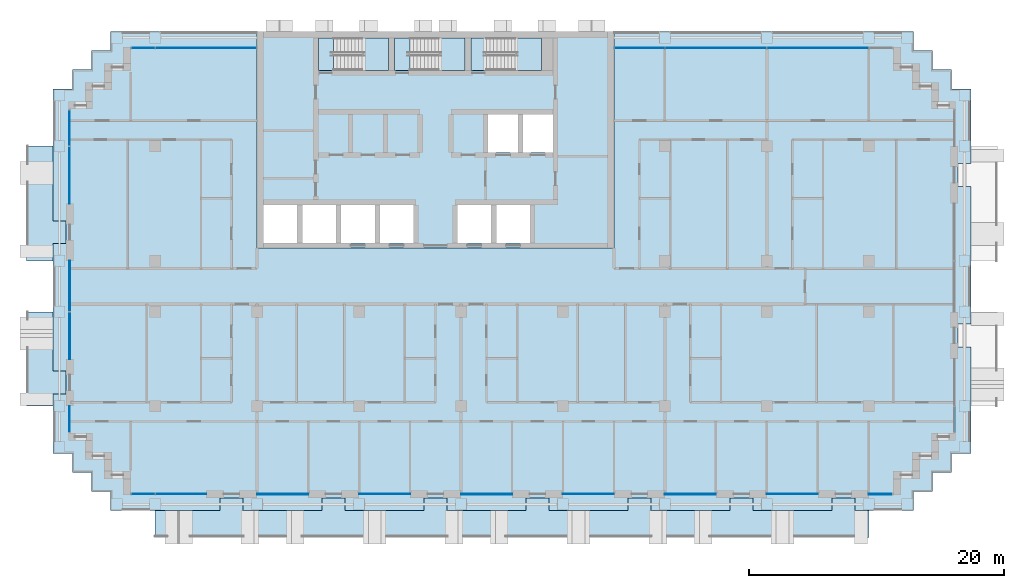
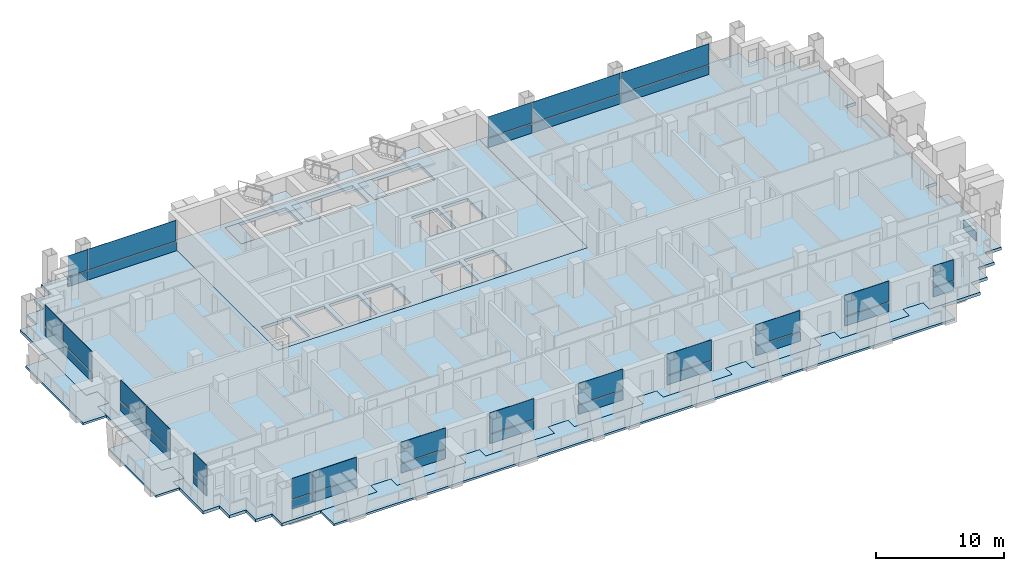
# One storey, part 7 of 18: 39 plates, 11 slabs, 17 elements without a shape of their own.
"""IFC4 building model written with IfcOpenShell, lengths in metres."""

from ifc_helpers import new_model, si_unit, direction, frame, origin, origin_2d, place, context, subcontext, project, spatial, polyline, rectangle, outline, extrude, material, layer, layer_set, type_object, element, aggregate, save


model = new_model("IFC4")

# Units and contexts
model_context = context("Model", 3, precision=1e-05, world=origin(), true_north=direction((0.0, 1.0)))
body_context = subcontext(model_context, "Body", "Model", "MODEL_VIEW")
ifc_project = project(units=[si_unit("LENGTHUNIT", "METRE"), si_unit("AREAUNIT", "SQUARE_METRE"), si_unit("VOLUMEUNIT", "CUBIC_METRE"), si_unit("PLANEANGLEUNIT", "RADIAN"), si_unit("MASSUNIT", "GRAM", prefix="KILO")], contexts=[model_context])

# Site, building, storey
site_placement = place(None, origin())
site = spatial("IfcSite", under=ifc_project, at=site_placement, CompositionType="ELEMENT")
building_placement = place(site_placement, origin())
building = spatial("IfcBuilding", under=site, at=building_placement, Name="Vidyagriha Tower", CompositionType="ELEMENT")
storey_placement = place(building_placement, frame((0.0, 0.0, 90.300048828125)))
storey = spatial("IfcBuildingStorey", under=building, at=storey_placement, Name="L23", CompositionType="ELEMENT", Elevation=90.300048828125)

# Curtain wall, plate
ifc_material_1 = material(Name="Aluminium and glass curtain wall", Category="aluminium")
curtain_wall_type = type_object("IfcCurtainWallType", Name="Dwelling skin unitised curtain wall", PredefinedType="USERDEFINED", material=ifc_material_1)
curtain_wall_1_placement = place(storey_placement, origin())
curtain_wall_1 = element("IfcCurtainWall", 1, at=curtain_wall_1_placement, inside=storey, type_object=curtain_wall_type, Name="CW1 dwelling skin", ObjectType="UNITISED", PredefinedType="USERDEFINED")
ifc_material_2 = material(Name="Glass dark ceramic-fritted spandrel", Category="glass")
ifc_layer_1 = layer(ifc_material_2, 0.0400390625)
ifc_layer_set_1 = layer_set([ifc_layer_1], Name="Glass dark ceramic-fritted spandrel")
plate_type_1 = type_object("IfcPlateType", Name="Ceramic-fritted spandrel panel", PredefinedType="CURTAIN_PANEL", material=ifc_layer_set_1)
plate_1_placement = place(storey_placement, frame((22.0, 18.699951171875, 0.0), z_axis=(0.0, 0.0, 1.0), x_axis=(-1.0, 0.0, 0.0)))
plate_1 = element("IfcPlate", 2, at=plate_1_placement, type_object=plate_type_1, Name="CW1 panel 3.1", PredefinedType="CURTAIN_PANEL", context=body_context, shape_type="SweptSolid", body=[
    extrude(rectangle(XDim=7.929931640625, YDim=0.0400390625, at=origin_2d()), origin(), (0.0, 0.0, 1.0), 0.85009765625),
])

curtain_wall_2_placement = place(storey_placement, origin())
curtain_wall_2 = element("IfcCurtainWall", 3, at=curtain_wall_2_placement, inside=storey, type_object=curtain_wall_type, Name="CW1 dwelling skin", ObjectType="UNITISED", PredefinedType="USERDEFINED")
plate_2_placement = place(storey_placement, frame((-18.017578125, 18.699951171875, 0.0), z_axis=(0.0, 0.0, 1.0), x_axis=(-1.0, 0.0, 0.0)))
plate_2 = element("IfcPlate", 4, at=plate_2_placement, type_object=plate_type_1, Name="CW1 panel 1.1", PredefinedType="CURTAIN_PANEL", context=body_context, shape_type="SweptSolid", body=[
    extrude(rectangle(XDim=7.89501953125, YDim=0.0400390625, at=origin_2d()), origin(), (0.0, 0.0, 1.0), 0.85009765625),
])

# Curtain wall, plates
curtain_wall_3_placement = place(storey_placement, origin())
curtain_wall_3 = element("IfcCurtainWall", 5, at=curtain_wall_3_placement, inside=storey, type_object=curtain_wall_type, Name="CW1 dwelling skin", ObjectType="UNITISED", PredefinedType="USERDEFINED")
plate_3_placement = place(storey_placement, frame((-28.699951171875, 12.4326171875, 0.0), z_axis=(0.0, 0.0, 1.0), x_axis=(0.0, -1.0, 0.0)))
plate_3 = element("IfcPlate", 6, at=plate_3_placement, type_object=plate_type_1, Name="CW1 panel 1.1", PredefinedType="CURTAIN_PANEL", context=body_context, shape_type="SweptSolid", body=[
    extrude(rectangle(XDim=2.794921875, YDim=0.0400390625, at=origin_2d()), origin(), (0.0, 0.0, 1.0), 0.85009765625),
])
plate_4_placement = place(storey_placement, frame((-28.699951171875, 8.732421875, 0.0), z_axis=(0.0, 0.0, 1.0), x_axis=(0.0, -1.0, 0.0)))
plate_4 = element("IfcPlate", 7, at=plate_4_placement, type_object=plate_type_1, Name="CW1 panel 2.1", PredefinedType="CURTAIN_PANEL", context=body_context, shape_type="SweptSolid", body=[
    extrude(rectangle(XDim=4.465087890625, YDim=0.0400390625, at=origin_2d()), origin(), (0.0, 0.0, 1.0), 0.85009765625),
])

# Curtain wall, plate
curtain_wall_4_placement = place(storey_placement, origin())
curtain_wall_4 = element("IfcCurtainWall", 8, at=curtain_wall_4_placement, inside=storey, type_object=curtain_wall_type, Name="CW1 dwelling skin", ObjectType="UNITISED", PredefinedType="USERDEFINED")
plate_5_placement = place(storey_placement, frame((-28.699951171875, -10.4150390625, 0.0), z_axis=(0.0, 0.0, 1.0), x_axis=(0.0, -1.0, 0.0)))
plate_5 = element("IfcPlate", 9, at=plate_5_placement, type_object=plate_type_1, Name="CW1 panel 1.1", PredefinedType="CURTAIN_PANEL", context=body_context, shape_type="SweptSolid", body=[
    extrude(rectangle(XDim=2.030029296875, YDim=0.0400390625, at=origin_2d()), origin(), (0.0, 0.0, 1.0), 0.85009765625),
])

# Curtain wall, plates
curtain_wall_5_placement = place(storey_placement, origin())
curtain_wall_5 = element("IfcCurtainWall", 10, at=curtain_wall_5_placement, inside=storey, type_object=curtain_wall_type, Name="CW1 dwelling skin", ObjectType="UNITISED", PredefinedType="USERDEFINED")
plate_6_placement = place(storey_placement, frame((-22.9326171875, -16.300048828125, 0.0)))
plate_6 = element("IfcPlate", 11, at=plate_6_placement, type_object=plate_type_1, Name="CW1 panel 1.1", PredefinedType="CURTAIN_PANEL", context=body_context, shape_type="SweptSolid", body=[
    extrude(rectangle(XDim=1.794921875, YDim=0.0400390625, at=origin_2d()), origin(), (0.0, 0.0, 1.0), 0.85009765625),
])
plate_7_placement = place(storey_placement, frame((-19.982421875, -16.300048828125, 0.0)))
plate_7 = element("IfcPlate", 12, at=plate_7_placement, type_object=plate_type_1, Name="CW1 panel 2.1", PredefinedType="CURTAIN_PANEL", context=body_context, shape_type="SweptSolid", body=[
    extrude(rectangle(XDim=3.965087890625, YDim=0.0400390625, at=origin_2d()), origin(), (0.0, 0.0, 1.0), 0.85009765625),
])

# Curtain wall, plate
curtain_wall_6_placement = place(storey_placement, origin())
curtain_wall_6 = element("IfcCurtainWall", 13, at=curtain_wall_6_placement, inside=storey, type_object=curtain_wall_type, Name="CW1 dwelling skin", ObjectType="UNITISED", PredefinedType="USERDEFINED")
plate_8_placement = place(storey_placement, frame((-4.0, -16.300048828125, 0.0)))
plate_8 = element("IfcPlate", 14, at=plate_8_placement, type_object=plate_type_1, Name="CW1 panel 1.1", PredefinedType="CURTAIN_PANEL", context=body_context, shape_type="SweptSolid", body=[
    extrude(rectangle(XDim=4.0, YDim=0.0400390625, at=origin_2d()), origin(), (0.0, 0.0, 1.0), 0.85009765625),
])

curtain_wall_7_placement = place(storey_placement, origin())
curtain_wall_7 = element("IfcCurtainWall", 15, at=curtain_wall_7_placement, inside=storey, type_object=curtain_wall_type, Name="CW1 dwelling skin", ObjectType="UNITISED", PredefinedType="USERDEFINED")
plate_9_placement = place(storey_placement, frame((12.0, -16.300048828125, 0.0)))
plate_9 = element("IfcPlate", 16, at=plate_9_placement, type_object=plate_type_1, Name="CW1 panel 1.1", PredefinedType="CURTAIN_PANEL", context=body_context, shape_type="SweptSolid", body=[
    extrude(rectangle(XDim=4.0, YDim=0.0400390625, at=origin_2d()), origin(), (0.0, 0.0, 1.0), 0.85009765625),
])

curtain_wall_8_placement = place(storey_placement, origin())
curtain_wall_8 = element("IfcCurtainWall", 17, at=curtain_wall_8_placement, inside=storey, type_object=curtain_wall_type, Name="CW1 dwelling skin", ObjectType="UNITISED", PredefinedType="USERDEFINED")
plate_10_placement = place(storey_placement, frame((28.0, -16.300048828125, 0.0)))
plate_10 = element("IfcPlate", 18, at=plate_10_placement, type_object=plate_type_1, Name="CW1 panel 1.1", PredefinedType="CURTAIN_PANEL", context=body_context, shape_type="SweptSolid", body=[
    extrude(rectangle(XDim=4.0, YDim=0.0400390625, at=origin_2d()), origin(), (0.0, 0.0, 1.0), 0.85009765625),
])

curtain_wall_9_placement = place(storey_placement, origin())
curtain_wall_9 = element("IfcCurtainWall", 19, at=curtain_wall_9_placement, inside=storey, type_object=curtain_wall_type, Name="CW1 dwelling skin", ObjectType="UNITISED", PredefinedType="USERDEFINED")
plate_11_placement = place(storey_placement, frame((40.699951171875, -10.4326171875, 0.0), z_axis=(0.0, 0.0, 1.0), x_axis=(0.0, 1.0, 0.0)))
plate_11 = element("IfcPlate", 20, at=plate_11_placement, type_object=plate_type_1, Name="CW1 panel 1.1", PredefinedType="CURTAIN_PANEL", context=body_context, shape_type="SweptSolid", body=[
    extrude(rectangle(XDim=1.9951171875, YDim=0.0400390625, at=origin_2d()), origin(), (0.0, 0.0, 1.0), 0.85009765625),
])
aggregate(curtain_wall_9, [plate_11])

# Slab
ifc_material_3 = material(Name="Concrete C60/75", Category="concrete")
ifc_layer_2 = layer(ifc_material_3, 0.280029296875)
ifc_layer_set_2 = layer_set([ifc_layer_2], Name="Concrete C60/75")
slab_type_1 = type_object("IfcSlabType", Name="Core floor slab 280 mm", PredefinedType="FLOOR", material=ifc_layer_set_2)
slab_1_placement = place(storey_placement, frame((0.0, 0.0, -0.280029296875)))
element("IfcSlab", 21, at=slab_1_placement, inside=storey, type_object=slab_type_1, Name="L23 core floor 1", PredefinedType="FLOOR", context=body_context, shape_type="SweptSolid", body=[
    extrude(outline(polyline([(-14.0, 3.0), (-14.0, 20.0), (14.0, 20.0), (14.0, 3.0), (-14.0, 3.0)]), holes=[polyline([(9.199951171875, 13.5), (6.86669921875, 13.5), (6.86669921875, 10.5), (9.199951171875, 10.5), (9.199951171875, 13.5)]), polyline([(4.0, 19.5), (2.800048828125, 19.5), (2.800048828125, 16.949951171875), (4.0, 16.949951171875), (8.300048828125, 16.949951171875), (8.300048828125, 19.5), (4.0, 19.5)]), polyline([(7.4111328125, 6.39990234375), (4.7666015625, 6.39990234375), (4.7666015625, 3.39990234375), (7.4111328125, 3.39990234375), (7.4111328125, 6.39990234375)]), polyline([(6.466796875, 13.5), (4.13330078125, 13.5), (4.13330078125, 10.5), (6.466796875, 10.5), (6.466796875, 13.5)]), polyline([(1.72216796875, 6.39990234375), (1.72216796875, 3.39990234375), (4.36669921875, 3.39990234375), (4.36669921875, 6.39990234375), (1.72216796875, 6.39990234375)]), polyline([(-2.0, 16.949951171875), (2.300048828125, 16.949951171875), (2.300048828125, 19.5), (-2.0, 19.5), (-3.199951171875, 19.5), (-3.199951171875, 16.949951171875), (-2.0, 16.949951171875)]), polyline([(-1.72216796875, 6.39990234375), (-4.36669921875, 6.39990234375), (-4.36669921875, 3.39990234375), (-1.72216796875, 3.39990234375), (-1.72216796875, 6.39990234375)]), polyline([(-8.0, 19.5), (-9.199951171875, 19.5), (-9.199951171875, 16.949951171875), (-8.0, 16.949951171875), (-3.699951171875, 16.949951171875), (-3.699951171875, 19.5), (-8.0, 19.5)]), polyline([(-4.7666015625, 6.39990234375), (-7.4111328125, 6.39990234375), (-7.4111328125, 3.39990234375), (-4.7666015625, 3.39990234375), (-4.7666015625, 6.39990234375)]), polyline([(-7.81103515625, 6.39990234375), (-10.45556640625, 6.39990234375), (-10.45556640625, 3.39990234375), (-7.81103515625, 3.39990234375), (-7.81103515625, 6.39990234375)]), polyline([(-13.5, 6.39990234375), (-13.5, 3.39990234375), (-10.855712890625, 3.39990234375), (-10.855712890625, 6.39990234375), (-13.5, 6.39990234375)])]), origin(), (0.0, 0.0, 1.0), 0.280029296875),
])

# Plate
ifc_material_4 = material(Name="Glass dark ceramic-fritted", Category="glass")
ifc_layer_3 = layer(ifc_material_4, 0.028076171875)
ifc_layer_set_3 = layer_set([ifc_layer_3], Name="Glass dark ceramic-fritted")
plate_type_2 = type_object("IfcPlateType", Name="Dark ceramic-fritted vision glass panel", PredefinedType="CURTAIN_PANEL", material=ifc_layer_set_3)
plate_12_placement = place(storey_placement, frame((30.0, 18.699951171875, 0.9501953125), z_axis=(0.0, 0.0, 1.0), x_axis=(-1.0, 0.0, 0.0)))
plate_12 = element("IfcPlate", 22, at=plate_12_placement, type_object=plate_type_2, Name="CW1 panel 2.2", PredefinedType="CURTAIN_PANEL", context=body_context, shape_type="SweptSolid", body=[
    extrude(rectangle(XDim=7.929931640625, YDim=0.028076171875, at=origin_2d()), origin(), (0.0, 0.0, 1.0), 1.969970703125),
])

plate_13_placement = place(storey_placement, frame((22.0, 18.699951171875, 0.9501953125), z_axis=(0.0, 0.0, 1.0), x_axis=(-1.0, 0.0, 0.0)))
plate_13 = element("IfcPlate", 23, at=plate_13_placement, type_object=plate_type_2, Name="CW1 panel 3.2", PredefinedType="CURTAIN_PANEL", context=body_context, shape_type="SweptSolid", body=[
    extrude(rectangle(XDim=7.929931640625, YDim=0.028076171875, at=origin_2d()), origin(), (0.0, 0.0, 1.0), 1.969970703125),
])

plate_14_placement = place(storey_placement, frame((16.017578125, 18.699951171875, 0.9501953125), z_axis=(0.0, 0.0, 1.0), x_axis=(-1.0, 0.0, 0.0)))
plate_14 = element("IfcPlate", 24, at=plate_14_placement, type_object=plate_type_2, Name="CW1 panel 4.2", PredefinedType="CURTAIN_PANEL", context=body_context, shape_type="SweptSolid", body=[
    extrude(rectangle(XDim=3.89501953125, YDim=0.028076171875, at=origin_2d()), origin(), (0.0, 0.0, 1.0), 1.969970703125),
])

plate_15_placement = place(storey_placement, frame((-18.017578125, 18.699951171875, 0.9501953125), z_axis=(0.0, 0.0, 1.0), x_axis=(-1.0, 0.0, 0.0)))
plate_15 = element("IfcPlate", 25, at=plate_15_placement, type_object=plate_type_2, Name="CW1 panel 1.2", PredefinedType="CURTAIN_PANEL", context=body_context, shape_type="SweptSolid", body=[
    extrude(rectangle(XDim=7.89501953125, YDim=0.028076171875, at=origin_2d()), origin(), (0.0, 0.0, 1.0), 1.969970703125),
])

plate_16_placement = place(storey_placement, frame((-22.9326171875, 18.699951171875, 0.9501953125), z_axis=(0.0, 0.0, 1.0), x_axis=(-1.0, 0.0, 0.0)))
plate_16 = element("IfcPlate", 26, at=plate_16_placement, type_object=plate_type_2, Name="CW1 panel 2.2", PredefinedType="CURTAIN_PANEL", context=body_context, shape_type="SweptSolid", body=[
    extrude(rectangle(XDim=1.794921875, YDim=0.028076171875, at=origin_2d()), origin(), (0.0, 0.0, 1.0), 1.969970703125),
])

plate_17_placement = place(storey_placement, frame((-28.699951171875, 12.4326171875, 0.9501953125), z_axis=(0.0, 0.0, 1.0), x_axis=(0.0, -1.0, 0.0)))
plate_17 = element("IfcPlate", 27, at=plate_17_placement, type_object=plate_type_2, Name="CW1 panel 1.2", PredefinedType="CURTAIN_PANEL", context=body_context, shape_type="SweptSolid", body=[
    extrude(rectangle(XDim=2.794921875, YDim=0.028076171875, at=origin_2d()), origin(), (0.0, 0.0, 1.0), 1.969970703125),
])

plate_18_placement = place(storey_placement, frame((-28.699951171875, 8.732421875, 0.9501953125), z_axis=(0.0, 0.0, 1.0), x_axis=(0.0, -1.0, 0.0)))
plate_18 = element("IfcPlate", 28, at=plate_18_placement, type_object=plate_type_2, Name="CW1 panel 2.2", PredefinedType="CURTAIN_PANEL", context=body_context, shape_type="SweptSolid", body=[
    extrude(rectangle(XDim=4.465087890625, YDim=0.028076171875, at=origin_2d()), origin(), (0.0, 0.0, 1.0), 1.969970703125),
])

aggregate(curtain_wall_3, [plate_3, plate_17, plate_4, plate_18])

# Curtain wall, plates
curtain_wall_10_placement = place(storey_placement, origin())
curtain_wall_10 = element("IfcCurtainWall", 29, at=curtain_wall_10_placement, inside=storey, type_object=curtain_wall_type, Name="CW1 dwelling skin", ObjectType="UNITISED", PredefinedType="USERDEFINED")
plate_19_placement = place(storey_placement, frame((-28.699951171875, 0.017578125, 0.9501953125), z_axis=(0.0, 0.0, 1.0), x_axis=(0.0, -1.0, 0.0)))
plate_19 = element("IfcPlate", 30, at=plate_19_placement, type_object=plate_type_2, Name="CW1 panel 1.2", PredefinedType="CURTAIN_PANEL", context=body_context, shape_type="SweptSolid", body=[
    extrude(rectangle(XDim=3.965087890625, YDim=0.028076171875, at=origin_2d()), origin(), (0.0, 0.0, 1.0), 1.969970703125),
])
plate_20_placement = place(storey_placement, frame((-28.699951171875, -3.867431640625, 0.9501953125), z_axis=(0.0, 0.0, 1.0), x_axis=(0.0, -1.0, 0.0)))
plate_20 = element("IfcPlate", 31, at=plate_20_placement, type_object=plate_type_2, Name="CW1 panel 2.2", PredefinedType="CURTAIN_PANEL", context=body_context, shape_type="SweptSolid", body=[
    extrude(rectangle(XDim=3.6650390625, YDim=0.028076171875, at=origin_2d()), origin(), (0.0, 0.0, 1.0), 1.969970703125),
])

# Plate
plate_21_placement = place(storey_placement, frame((-28.699951171875, -10.4150390625, 0.9501953125), z_axis=(0.0, 0.0, 1.0), x_axis=(0.0, -1.0, 0.0)))
plate_21 = element("IfcPlate", 32, at=plate_21_placement, type_object=plate_type_2, Name="CW1 panel 1.2", PredefinedType="CURTAIN_PANEL", context=body_context, shape_type="SweptSolid", body=[
    extrude(rectangle(XDim=2.030029296875, YDim=0.028076171875, at=origin_2d()), origin(), (0.0, 0.0, 1.0), 1.969970703125),
])

aggregate(curtain_wall_4, [plate_5, plate_21])

plate_22_placement = place(storey_placement, frame((-22.9326171875, -16.300048828125, 0.9501953125)))
plate_22 = element("IfcPlate", 33, at=plate_22_placement, type_object=plate_type_2, Name="CW1 panel 1.2", PredefinedType="CURTAIN_PANEL", context=body_context, shape_type="SweptSolid", body=[
    extrude(rectangle(XDim=1.794921875, YDim=0.028076171875, at=origin_2d()), origin(), (0.0, 0.0, 1.0), 1.969970703125),
])

plate_23_placement = place(storey_placement, frame((-19.982421875, -16.300048828125, 0.9501953125)))
plate_23 = element("IfcPlate", 34, at=plate_23_placement, type_object=plate_type_2, Name="CW1 panel 2.2", PredefinedType="CURTAIN_PANEL", context=body_context, shape_type="SweptSolid", body=[
    extrude(rectangle(XDim=3.965087890625, YDim=0.028076171875, at=origin_2d()), origin(), (0.0, 0.0, 1.0), 1.969970703125),
])

aggregate(curtain_wall_5, [plate_6, plate_22, plate_7, plate_23])

# Curtain wall, plate
curtain_wall_11_placement = place(storey_placement, origin())
curtain_wall_11 = element("IfcCurtainWall", 35, at=curtain_wall_11_placement, inside=storey, type_object=curtain_wall_type, Name="CW1 dwelling skin", ObjectType="UNITISED", PredefinedType="USERDEFINED")
plate_24_placement = place(storey_placement, frame((-12.0, -16.300048828125, 0.9501953125)))
plate_24 = element("IfcPlate", 36, at=plate_24_placement, type_object=plate_type_2, Name="CW1 panel 1.2", PredefinedType="CURTAIN_PANEL", context=body_context, shape_type="SweptSolid", body=[
    extrude(rectangle(XDim=4.0, YDim=0.028076171875, at=origin_2d()), origin(), (0.0, 0.0, 1.0), 1.969970703125),
])

# Plate
plate_25_placement = place(storey_placement, frame((-4.0, -16.300048828125, 0.9501953125)))
plate_25 = element("IfcPlate", 37, at=plate_25_placement, type_object=plate_type_2, Name="CW1 panel 1.2", PredefinedType="CURTAIN_PANEL", context=body_context, shape_type="SweptSolid", body=[
    extrude(rectangle(XDim=4.0, YDim=0.028076171875, at=origin_2d()), origin(), (0.0, 0.0, 1.0), 1.969970703125),
])

aggregate(curtain_wall_6, [plate_8, plate_25])

# Curtain wall, plate
curtain_wall_12_placement = place(storey_placement, origin())
curtain_wall_12 = element("IfcCurtainWall", 38, at=curtain_wall_12_placement, inside=storey, type_object=curtain_wall_type, Name="CW1 dwelling skin", ObjectType="UNITISED", PredefinedType="USERDEFINED")
plate_26_placement = place(storey_placement, frame((4.0, -16.300048828125, 0.9501953125)))
plate_26 = element("IfcPlate", 39, at=plate_26_placement, type_object=plate_type_2, Name="CW1 panel 1.2", PredefinedType="CURTAIN_PANEL", context=body_context, shape_type="SweptSolid", body=[
    extrude(rectangle(XDim=4.0, YDim=0.028076171875, at=origin_2d()), origin(), (0.0, 0.0, 1.0), 1.969970703125),
])

# Plate
plate_27_placement = place(storey_placement, frame((12.0, -16.300048828125, 0.9501953125)))
plate_27 = element("IfcPlate", 40, at=plate_27_placement, type_object=plate_type_2, Name="CW1 panel 1.2", PredefinedType="CURTAIN_PANEL", context=body_context, shape_type="SweptSolid", body=[
    extrude(rectangle(XDim=4.0, YDim=0.028076171875, at=origin_2d()), origin(), (0.0, 0.0, 1.0), 1.969970703125),
])

aggregate(curtain_wall_7, [plate_9, plate_27])

# Curtain wall, plate
curtain_wall_13_placement = place(storey_placement, origin())
curtain_wall_13 = element("IfcCurtainWall", 41, at=curtain_wall_13_placement, inside=storey, type_object=curtain_wall_type, Name="CW1 dwelling skin", ObjectType="UNITISED", PredefinedType="USERDEFINED")
plate_28_placement = place(storey_placement, frame((20.0, -16.300048828125, 0.9501953125)))
plate_28 = element("IfcPlate", 42, at=plate_28_placement, type_object=plate_type_2, Name="CW1 panel 1.2", PredefinedType="CURTAIN_PANEL", context=body_context, shape_type="SweptSolid", body=[
    extrude(rectangle(XDim=4.0, YDim=0.028076171875, at=origin_2d()), origin(), (0.0, 0.0, 1.0), 1.969970703125),
])

# Plate
plate_29_placement = place(storey_placement, frame((28.0, -16.300048828125, 0.9501953125)))
plate_29 = element("IfcPlate", 43, at=plate_29_placement, type_object=plate_type_2, Name="CW1 panel 1.2", PredefinedType="CURTAIN_PANEL", context=body_context, shape_type="SweptSolid", body=[
    extrude(rectangle(XDim=4.0, YDim=0.028076171875, at=origin_2d()), origin(), (0.0, 0.0, 1.0), 1.969970703125),
])

aggregate(curtain_wall_8, [plate_10, plate_29])

# Curtain wall, plate
curtain_wall_14_placement = place(storey_placement, origin())
curtain_wall_14 = element("IfcCurtainWall", 44, at=curtain_wall_14_placement, inside=storey, type_object=curtain_wall_type, Name="CW1 dwelling skin", ObjectType="UNITISED", PredefinedType="USERDEFINED")
plate_30_placement = place(storey_placement, frame((34.9150390625, -16.300048828125, 0.9501953125)))
plate_30 = element("IfcPlate", 45, at=plate_30_placement, type_object=plate_type_2, Name="CW1 panel 1.2", PredefinedType="CURTAIN_PANEL", context=body_context, shape_type="SweptSolid", body=[
    extrude(rectangle(XDim=1.830078125, YDim=0.028076171875, at=origin_2d()), origin(), (0.0, 0.0, 1.0), 1.969970703125),
])

# Slabs
ifc_material_5 = material(Name="Concrete C40/50", Category="concrete")
ifc_layer_4 = layer(ifc_material_5, 0.280029296875)
ifc_layer_set_4 = layer_set([ifc_layer_4], Name="Concrete C40/50")
slab_type_2 = type_object("IfcSlabType", Name="Exit stair floor landing 280 mm", PredefinedType="LANDING", material=ifc_layer_set_4)
slab_2_placement = place(storey_placement, frame((0.0, 0.0, -0.280029296875)))
element("IfcSlab", 46, at=slab_2_placement, inside=storey, type_object=slab_type_2, Name="ST1 floor landing L23", PredefinedType="LANDING", context=body_context, shape_type="SweptSolid", body=[
    extrude(outline(polyline([(-9.199951171875, 16.949951171875), (-8.0, 16.949951171875), (-8.0, 19.5), (-9.199951171875, 19.5), (-9.199951171875, 16.949951171875)])), origin(), (0.0, 0.0, 1.0), 0.280029296875),
])
slab_3_placement = place(storey_placement, frame((0.0, 0.0, -0.280029296875)))
element("IfcSlab", 47, at=slab_3_placement, inside=storey, type_object=slab_type_2, Name="ST2 floor landing L23", PredefinedType="LANDING", context=body_context, shape_type="SweptSolid", body=[
    extrude(outline(polyline([(-3.199951171875, 16.949951171875), (-2.0, 16.949951171875), (-2.0, 19.5), (-3.199951171875, 19.5), (-3.199951171875, 16.949951171875)])), origin(), (0.0, 0.0, 1.0), 0.280029296875),
])
slab_4_placement = place(storey_placement, frame((0.0, 0.0, -0.280029296875)))
element("IfcSlab", 48, at=slab_4_placement, inside=storey, type_object=slab_type_2, Name="ST3 floor landing L23", PredefinedType="LANDING", context=body_context, shape_type="SweptSolid", body=[
    extrude(outline(polyline([(2.800048828125, 16.949951171875), (4.0, 16.949951171875), (4.0, 19.5), (2.800048828125, 19.5), (2.800048828125, 16.949951171875)])), origin(), (0.0, 0.0, 1.0), 0.280029296875),
])

# Stair, slab
ifc_material_6 = material(Name="Concrete C40/50", Category="concrete")
stair_type = type_object("IfcStairType", Name="Exit stair, half-turn, precast flights", PredefinedType="HALF_TURN_STAIR", material=ifc_material_6)
stair_1_placement = place(storey_placement, origin())
stair_1 = element("IfcStair", 49, at=stair_1_placement, inside=storey, type_object=stair_type, Name="L23 Exit Stair ST1", PredefinedType="HALF_TURN_STAIR")
ifc_material_7 = material(Name="Concrete C40/50", Category="concrete")
ifc_layer_5 = layer(ifc_material_7, 0.199951171875)
ifc_layer_set_5 = layer_set([ifc_layer_5], Name="Concrete C40/50")
slab_type_3 = type_object("IfcSlabType", Name="Exit stair landing 200 mm", PredefinedType="LANDING", material=ifc_layer_set_5)
slab_5_placement = place(storey_placement, frame((0.0, 0.0, 1.39990234375)))
slab_5 = element("IfcSlab", 50, at=slab_5_placement, type_object=slab_type_3, Name="ST1 landing 1", PredefinedType="LANDING", context=body_context, shape_type="SweptSolid", body=[
    extrude(outline(polyline([(-5.760009765625, 16.949951171875), (-3.699951171875, 16.949951171875), (-3.699951171875, 19.5), (-5.760009765625, 19.5), (-5.760009765625, 16.949951171875)])), origin(), (0.0, 0.0, 1.0), 0.199951171875),
])
aggregate(stair_1, [slab_5])

stair_2_placement = place(storey_placement, origin())
stair_2 = element("IfcStair", 51, at=stair_2_placement, inside=storey, type_object=stair_type, Name="L23 Exit Stair ST2", PredefinedType="HALF_TURN_STAIR")
slab_6_placement = place(storey_placement, frame((0.0, 0.0, 1.39990234375)))
slab_6 = element("IfcSlab", 52, at=slab_6_placement, type_object=slab_type_3, Name="ST2 landing 1", PredefinedType="LANDING", context=body_context, shape_type="SweptSolid", body=[
    extrude(outline(polyline([(0.239990234375, 16.949951171875), (2.300048828125, 16.949951171875), (2.300048828125, 19.5), (0.239990234375, 19.5), (0.239990234375, 16.949951171875)])), origin(), (0.0, 0.0, 1.0), 0.199951171875),
])
aggregate(stair_2, [slab_6])

stair_3_placement = place(storey_placement, origin())
stair_3 = element("IfcStair", 53, at=stair_3_placement, inside=storey, type_object=stair_type, Name="L23 Exit Stair ST3", PredefinedType="HALF_TURN_STAIR")
slab_7_placement = place(storey_placement, frame((0.0, 0.0, 1.39990234375)))
slab_7 = element("IfcSlab", 54, at=slab_7_placement, type_object=slab_type_3, Name="ST3 landing 1", PredefinedType="LANDING", context=body_context, shape_type="SweptSolid", body=[
    extrude(outline(polyline([(6.239990234375, 16.949951171875), (8.300048828125, 16.949951171875), (8.300048828125, 19.5), (6.239990234375, 19.5), (6.239990234375, 16.949951171875)])), origin(), (0.0, 0.0, 1.0), 0.199951171875),
])
aggregate(stair_3, [slab_7])

# Plate
ifc_material_8 = material(Name="Aluminium black anodised", Category="aluminium")
ifc_layer_6 = layer(ifc_material_8, 0.06005859375)
ifc_layer_set_6 = layer_set([ifc_layer_6], Name="Aluminium black anodised")
plate_type_3 = type_object("IfcPlateType", Name="Operable black-metal vent panel", PredefinedType="CURTAIN_PANEL", material=ifc_layer_set_6)
plate_31_placement = place(storey_placement, frame((30.0, 18.699951171875, 0.0), z_axis=(0.0, 0.0, 1.0), x_axis=(-1.0, 0.0, 0.0)))
plate_31 = element("IfcPlate", 55, at=plate_31_placement, type_object=plate_type_3, Name="CW1 panel 2.1", PredefinedType="CURTAIN_PANEL", context=body_context, shape_type="SweptSolid", body=[
    extrude(rectangle(XDim=7.929931640625, YDim=0.06005859375, at=origin_2d()), origin(), (0.0, 0.0, 1.0), 0.85009765625),
])

plate_32_placement = place(storey_placement, frame((16.017578125, 18.699951171875, 0.0), z_axis=(0.0, 0.0, 1.0), x_axis=(-1.0, 0.0, 0.0)))
plate_32 = element("IfcPlate", 56, at=plate_32_placement, type_object=plate_type_3, Name="CW1 panel 4.1", PredefinedType="CURTAIN_PANEL", context=body_context, shape_type="SweptSolid", body=[
    extrude(rectangle(XDim=3.89501953125, YDim=0.06005859375, at=origin_2d()), origin(), (0.0, 0.0, 1.0), 0.85009765625),
])

aggregate(curtain_wall_1, [plate_31, plate_12, plate_1, plate_13, plate_32, plate_14])

plate_33_placement = place(storey_placement, frame((-22.9326171875, 18.699951171875, 0.0), z_axis=(0.0, 0.0, 1.0), x_axis=(-1.0, 0.0, 0.0)))
plate_33 = element("IfcPlate", 57, at=plate_33_placement, type_object=plate_type_3, Name="CW1 panel 2.1", PredefinedType="CURTAIN_PANEL", context=body_context, shape_type="SweptSolid", body=[
    extrude(rectangle(XDim=1.794921875, YDim=0.06005859375, at=origin_2d()), origin(), (0.0, 0.0, 1.0), 0.85009765625),
])

aggregate(curtain_wall_2, [plate_2, plate_15, plate_33, plate_16])

plate_34_placement = place(storey_placement, frame((-28.699951171875, 0.017578125, 0.0), z_axis=(0.0, 0.0, 1.0), x_axis=(0.0, -1.0, 0.0)))
plate_34 = element("IfcPlate", 58, at=plate_34_placement, type_object=plate_type_3, Name="CW1 panel 1.1", PredefinedType="CURTAIN_PANEL", context=body_context, shape_type="SweptSolid", body=[
    extrude(rectangle(XDim=3.965087890625, YDim=0.06005859375, at=origin_2d()), origin(), (0.0, 0.0, 1.0), 0.85009765625),
])

plate_35_placement = place(storey_placement, frame((-28.699951171875, -3.867431640625, 0.0), z_axis=(0.0, 0.0, 1.0), x_axis=(0.0, -1.0, 0.0)))
plate_35 = element("IfcPlate", 59, at=plate_35_placement, type_object=plate_type_3, Name="CW1 panel 2.1", PredefinedType="CURTAIN_PANEL", context=body_context, shape_type="SweptSolid", body=[
    extrude(rectangle(XDim=3.6650390625, YDim=0.06005859375, at=origin_2d()), origin(), (0.0, 0.0, 1.0), 0.85009765625),
])

aggregate(curtain_wall_10, [plate_34, plate_19, plate_35, plate_20])

plate_36_placement = place(storey_placement, frame((-12.0, -16.300048828125, 0.0)))
plate_36 = element("IfcPlate", 60, at=plate_36_placement, type_object=plate_type_3, Name="CW1 panel 1.1", PredefinedType="CURTAIN_PANEL", context=body_context, shape_type="SweptSolid", body=[
    extrude(rectangle(XDim=4.0, YDim=0.06005859375, at=origin_2d()), origin(), (0.0, 0.0, 1.0), 0.85009765625),
])

aggregate(curtain_wall_11, [plate_36, plate_24])

plate_37_placement = place(storey_placement, frame((4.0, -16.300048828125, 0.0)))
plate_37 = element("IfcPlate", 61, at=plate_37_placement, type_object=plate_type_3, Name="CW1 panel 1.1", PredefinedType="CURTAIN_PANEL", context=body_context, shape_type="SweptSolid", body=[
    extrude(rectangle(XDim=4.0, YDim=0.06005859375, at=origin_2d()), origin(), (0.0, 0.0, 1.0), 0.85009765625),
])

aggregate(curtain_wall_12, [plate_37, plate_26])

plate_38_placement = place(storey_placement, frame((20.0, -16.300048828125, 0.0)))
plate_38 = element("IfcPlate", 62, at=plate_38_placement, type_object=plate_type_3, Name="CW1 panel 1.1", PredefinedType="CURTAIN_PANEL", context=body_context, shape_type="SweptSolid", body=[
    extrude(rectangle(XDim=4.0, YDim=0.06005859375, at=origin_2d()), origin(), (0.0, 0.0, 1.0), 0.85009765625),
])

aggregate(curtain_wall_13, [plate_38, plate_28])

plate_39_placement = place(storey_placement, frame((34.9150390625, -16.300048828125, 0.0)))
plate_39 = element("IfcPlate", 63, at=plate_39_placement, type_object=plate_type_3, Name="CW1 panel 1.1", PredefinedType="CURTAIN_PANEL", context=body_context, shape_type="SweptSolid", body=[
    extrude(rectangle(XDim=1.830078125, YDim=0.06005859375, at=origin_2d()), origin(), (0.0, 0.0, 1.0), 0.85009765625),
])

aggregate(curtain_wall_14, [plate_39, plate_30])

# Slabs
ifc_material_9 = material(Name="Concrete C50/60", Category="concrete")
ifc_layer_7 = layer(ifc_material_9, 0.280029296875)
ifc_layer_set_7 = layer_set([ifc_layer_7], Name="Concrete C50/60")
slab_type_4 = type_object("IfcSlabType", Name="Post-tensioned flat plate 280", PredefinedType="FLOOR", material=ifc_layer_set_7)
slab_8_placement = place(storey_placement, frame((0.0, 0.0, -0.280029296875)))
element("IfcSlab", 64, at=slab_8_placement, inside=storey, type_object=slab_type_4, Name="st-slab-L23-1", PredefinedType="FLOOR", context=body_context, shape_type="SweptSolid", body=[
    extrude(outline(polyline([(40.5, -14.60009765625), (39.0, -14.60009765625), (39.0, -16.10009765625), (37.5, -16.10009765625), (37.5, -17.60009765625), (32.89990234375, -17.60009765625), (32.89990234375, -16.60009765625), (31.10009765625, -16.60009765625), (31.10009765625, -17.60009765625), (24.89990234375, -17.60009765625), (24.89990234375, -16.60009765625), (23.10009765625, -16.60009765625), (23.10009765625, -17.60009765625), (16.89990234375, -17.60009765625), (16.89990234375, -16.60009765625), (15.10009765625, -16.60009765625), (15.10009765625, -17.60009765625), (8.89990234375, -17.60009765625), (8.89990234375, -16.60009765625), (7.10009765625, -16.60009765625), (7.10009765625, -17.60009765625), (0.89990234375, -17.60009765625), (0.89990234375, -16.60009765625), (-0.89990234375, -16.60009765625), (-0.89990234375, -17.60009765625), (-7.10009765625, -17.60009765625), (-7.10009765625, -16.60009765625), (-8.89990234375, -16.60009765625), (-8.89990234375, -17.60009765625), (-15.10009765625, -17.60009765625), (-15.10009765625, -16.60009765625), (-16.89990234375, -16.60009765625), (-16.89990234375, -17.60009765625), (-25.5, -17.60009765625), (-25.5, -16.10009765625), (-27.0, -16.10009765625), (-27.0, -14.60009765625), (-28.5, -14.60009765625), (-28.5, -13.10009765625), (-30.0, -13.10009765625), (-30.0, -8.449951171875), (-29.0, -8.449951171875), (-29.0, -6.64990234375), (-30.0, -6.64990234375), (-30.0, 3.35009765625), (-29.0, 3.35009765625), (-29.0, 5.14990234375), (-30.0, 5.14990234375), (-30.0, 15.5), (-28.5, 15.5), (-28.5, 17.0), (-27.0, 17.0), (-27.0, 18.5), (-25.5, 18.5), (-25.5, 20.0), (-14.0, 20.0), (-14.0, 3.0), (14.0, 3.0), (14.0, 20.0), (37.5, 20.0), (37.5, 18.5), (39.0, 18.5), (39.0, 17.0), (40.5, 17.0), (40.5, 15.5), (42.0, 15.5), (42.0, 9.64990234375), (41.0, 9.64990234375), (41.0, 7.85009765625), (42.0, 7.85009765625), (42.0, -2.949951171875), (41.0, -2.949951171875), (41.0, -4.75), (42.0, -4.75), (42.0, -13.10009765625), (40.5, -13.10009765625), (40.5, -14.60009765625)])), origin(), (0.0, 0.0, 1.0), 0.280029296875),
])
ifc_material_10 = material(Name="Precast concrete C40/50", Category="concrete")
ifc_layer_8 = layer(ifc_material_10, 0.199951171875)
ifc_layer_set_8 = layer_set([ifc_layer_8], Name="Precast concrete C40/50")
slab_type_5 = type_object("IfcSlabType", Name="Precast balcony slab 200", PredefinedType="USERDEFINED", material=ifc_layer_set_8)
slab_9_placement = place(storey_placement, frame((0.0, 0.0, -0.199951171875)))
element("IfcSlab", 65, at=slab_9_placement, inside=storey, type_object=slab_type_5, Name="Balcony slab L23 R16.1-1", ObjectType="BALCONY", PredefinedType="USERDEFINED", context=body_context, shape_type="SweptSolid", body=[
    extrude(outline(polyline([(-29.0, 3.35009765625), (-29.0, 5.14990234375), (-30.0, 5.14990234375), (-30.0, 11.0), (-32.10009765625, 11.0), (-32.10009765625, 2.0), (-30.0, 2.0), (-30.0, 3.35009765625), (-29.0, 3.35009765625)])), origin(), (0.0, 0.0, 1.0), 0.199951171875),
])
slab_10_placement = place(storey_placement, frame((0.0, 0.0, -0.199951171875)))
element("IfcSlab", 66, at=slab_10_placement, inside=storey, type_object=slab_type_5, Name="Balcony slab L23 R16.2-2", ObjectType="BALCONY", PredefinedType="USERDEFINED", context=body_context, shape_type="SweptSolid", body=[
    extrude(outline(polyline([(-29.0, -8.449951171875), (-29.0, -6.64990234375), (-30.0, -6.64990234375), (-30.0, -2.0), (-32.10009765625, -2.0), (-32.10009765625, -9.39990234375), (-30.0, -9.39990234375), (-30.0, -8.449951171875), (-29.0, -8.449951171875)])), origin(), (0.0, 0.0, 1.0), 0.199951171875),
])
slab_11_placement = place(storey_placement, frame((0.0, 0.0, -0.199951171875)))
element("IfcSlab", 67, at=slab_11_placement, inside=storey, type_object=slab_type_5, Name="Balcony slab L23 R23.1-7", ObjectType="BALCONY", PredefinedType="USERDEFINED", context=body_context, shape_type="SweptSolid", body=[
    extrude(outline(polyline([(-15.10009765625, -16.60009765625), (-16.89990234375, -16.60009765625), (-16.89990234375, -17.60009765625), (-22.0, -17.60009765625), (-22.0, -19.699951171875), (34.0, -19.699951171875), (34.0, -17.60009765625), (32.89990234375, -17.60009765625), (32.89990234375, -16.60009765625), (31.10009765625, -16.60009765625), (31.10009765625, -17.60009765625), (24.89990234375, -17.60009765625), (24.89990234375, -16.60009765625), (23.10009765625, -16.60009765625), (23.10009765625, -17.60009765625), (16.89990234375, -17.60009765625), (16.89990234375, -16.60009765625), (15.10009765625, -16.60009765625), (15.10009765625, -17.60009765625), (8.89990234375, -17.60009765625), (8.89990234375, -16.60009765625), (7.10009765625, -16.60009765625), (7.10009765625, -17.60009765625), (0.89990234375, -17.60009765625), (0.89990234375, -16.60009765625), (-0.89990234375, -16.60009765625), (-0.89990234375, -17.60009765625), (-7.10009765625, -17.60009765625), (-7.10009765625, -16.60009765625), (-8.89990234375, -16.60009765625), (-8.89990234375, -17.60009765625), (-15.10009765625, -17.60009765625), (-15.10009765625, -16.60009765625)])), origin(), (0.0, 0.0, 1.0), 0.199951171875),
])

save(model, "model.ifc")
